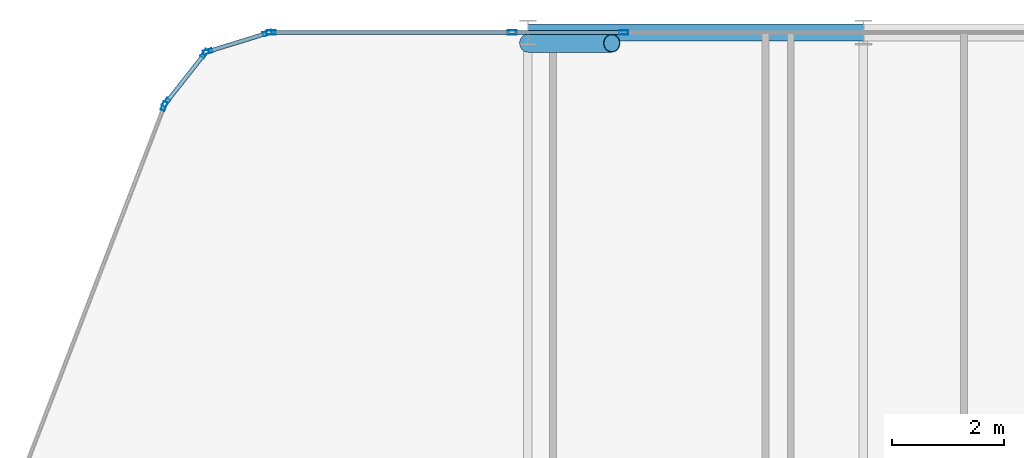
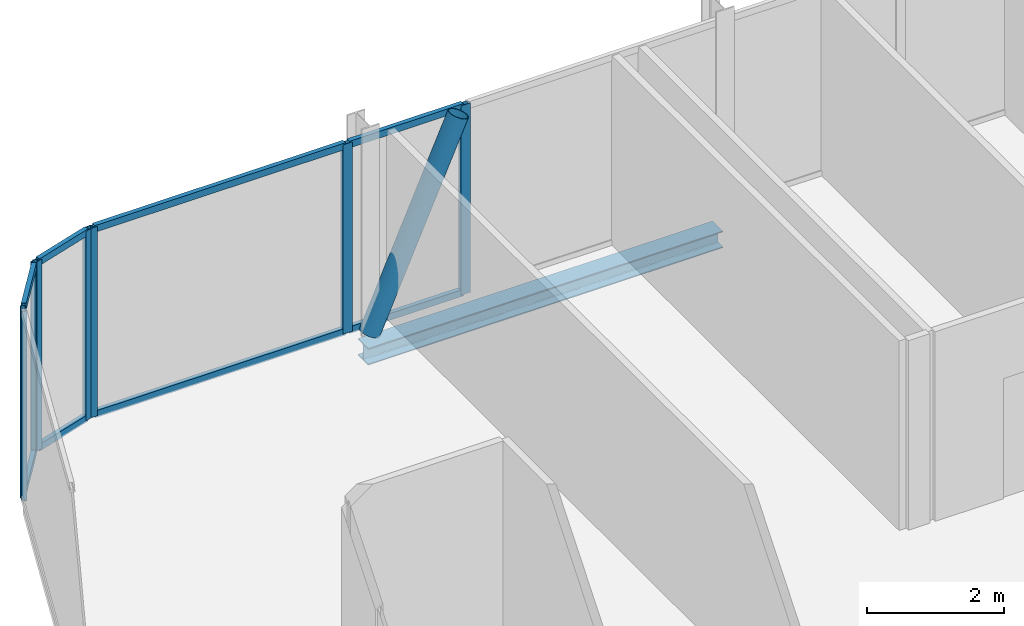
# One storey, part 18 of 29: 17 members, 1 beam, 5 elements without a shape of their own.
"""IFC4 building model written with IfcOpenShell, lengths in metres."""

from ifc_helpers import new_model, si_unit, direction, frame, origin, origin_2d, place, context, subcontext, project, spatial, hollow_rectangle, hollow_circle, i_section, extrude, material, layer, layer_set, material_profile, profile_set, type_object, element, aggregate, save


model = new_model("IFC4")

# Units and contexts
model_context = context("Model", 3, precision=1e-05, world=origin(), true_north=direction((0.0, 1.0)))
body_context = subcontext(model_context, "Body", "Model", "MODEL_VIEW")
ifc_project = project(units=[si_unit("LENGTHUNIT", "METRE"), si_unit("AREAUNIT", "SQUARE_METRE"), si_unit("VOLUMEUNIT", "CUBIC_METRE"), si_unit("PLANEANGLEUNIT", "RADIAN"), si_unit("MASSUNIT", "GRAM", prefix="KILO")], contexts=[model_context])

# Site, building, storey
site_placement = place(None, origin())
site = spatial("IfcSite", under=ifc_project, at=site_placement, CompositionType="ELEMENT")
building_placement = place(site_placement, origin())
building = spatial("IfcBuilding", under=site, at=building_placement, Name="Keshet Zoharim Tower", CompositionType="ELEMENT")
storey_placement = place(building_placement, frame((0.0, 0.0, 176.5)))
storey = spatial("IfcBuildingStorey", under=building, at=storey_placement, Name="L43", CompositionType="ELEMENT", Elevation=176.5)

# Beam
ifc_material_1 = material(Name="Steel S355", Category="steel")
ifc_material_profile_1 = material_profile(ifc_material_1, i_section(OverallWidth=0.300048828125, OverallDepth=0.300048828125, WebThickness=0.010986328125, FlangeThickness=0.01904296875, FilletRadius=0.027099609375, at=origin_2d()), Name="HEB300")
ifc_profile_set_1 = profile_set([ifc_material_profile_1], Name="Steel S355")
beam_type = type_object("IfcBeamType", Name="BM-PRI-HB300", PredefinedType="BEAM", material=ifc_profile_set_1)
beam_placement = place(storey_placement, frame((21.0, 53.89990234375, -0.4599609375), z_axis=(1.0, 0.0, 0.0), x_axis=(0.0, 1.0, 0.0)))
element("IfcBeam", 1, at=beam_placement, inside=storey, type_object=beam_type, Name="L43 Primary Girder X-019", PredefinedType="BEAM", context=body_context, shape_type="SweptSolid", body=[
    extrude(i_section(OverallWidth=0.300048828125, OverallDepth=0.300048828125, WebThickness=0.010986328125, FlangeThickness=0.01904296875, FilletRadius=0.027099609375, at=origin_2d()), origin(), (0.0, 0.0, 1.0), 6.0),
])

# Curtain wall, member
ifc_material_2 = material(Name="Aluminium 6063-T6", Category="aluminium")
ifc_layer = layer(ifc_material_2, 0.139892578125)
ifc_layer_set = layer_set([ifc_layer], Name="Aluminium 6063-T6")
curtain_wall_type = type_object("IfcCurtainWallType", Name="CW-SYS-05", PredefinedType="NOTDEFINED", material=ifc_layer_set)
curtain_wall_1_placement = place(storey_placement, origin())
curtain_wall_1 = element("IfcCurtainWall", 2, at=curtain_wall_1_placement, inside=storey, type_object=curtain_wall_type, Name="L43 Unitised Curtain Wall 13", PredefinedType="NOTDEFINED")
ifc_material_profile_2 = material_profile(ifc_material_2, hollow_rectangle(XDim=0.074951171875, YDim=0.159912109375, WallThickness=0.00390625, at=origin_2d()), Name="MUL-75x160")
ifc_profile_set_2 = profile_set([ifc_material_profile_2], Name="Aluminium 6063-T6")
member_type_1 = type_object("IfcMemberType", Name="CWM-M15", PredefinedType="MULLION", material=ifc_profile_set_2)
member_1_placement = place(storey_placement, frame((14.494384765625, 52.58544921875, 0.0), z_axis=(0.0, 0.0, 1.0), x_axis=(-0.933341404361, 0.358990003907, 0.0)))
member_1 = element("IfcMember", 3, at=member_1_placement, type_object=member_type_1, Name="CW-05 mullion 4", PredefinedType="MULLION", context=body_context, shape_type="SweptSolid", body=[
    extrude(hollow_rectangle(XDim=0.074951171875, YDim=0.159912109375, WallThickness=0.00390625, at=origin_2d()), origin(), (0.0, 0.0, 1.0), 3.389892578125),
])
aggregate(curtain_wall_1, [member_1])

# Curtain wall, members
curtain_wall_2_placement = place(storey_placement, origin())
curtain_wall_2 = element("IfcCurtainWall", 4, at=curtain_wall_2_placement, inside=storey, type_object=curtain_wall_type, Name="L43 Unitised Curtain Wall 14", PredefinedType="NOTDEFINED")
member_2_placement = place(storey_placement, frame((14.528564453125, 52.6455078125, 0.0), z_axis=(0.0, 0.0, 1.0), x_axis=(-0.785292825205, 0.619124525989, 0.0)))
member_2 = element("IfcMember", 5, at=member_2_placement, type_object=member_type_1, Name="CW-05 mullion 1", PredefinedType="MULLION", context=body_context, shape_type="SweptSolid", body=[
    extrude(hollow_rectangle(XDim=0.074951171875, YDim=0.159912109375, WallThickness=0.00390625, at=origin_2d()), origin(), (0.0, 0.0, 1.0), 3.389892578125),
])
member_3_placement = place(storey_placement, frame((15.21923828125, 53.521484375, 0.0), z_axis=(0.0, 0.0, 1.0), x_axis=(-0.785292825205, 0.619124525989, 0.0)))
member_3 = element("IfcMember", 6, at=member_3_placement, type_object=member_type_1, Name="CW-05 mullion 2", PredefinedType="MULLION", context=body_context, shape_type="SweptSolid", body=[
    extrude(hollow_rectangle(XDim=0.074951171875, YDim=0.159912109375, WallThickness=0.00390625, at=origin_2d()), origin(), (0.0, 0.0, 1.0), 3.389892578125),
])

curtain_wall_3_placement = place(storey_placement, origin())
curtain_wall_3 = element("IfcCurtainWall", 7, at=curtain_wall_3_placement, inside=storey, type_object=curtain_wall_type, Name="L43 Unitised Curtain Wall 15", PredefinedType="NOTDEFINED")
member_4_placement = place(storey_placement, frame((15.2744140625, 53.559326171875, 0.0), z_axis=(0.0, 0.0, 1.0), x_axis=(-0.295921857984, 0.955212151288, 0.0)))
member_4 = element("IfcMember", 8, at=member_4_placement, type_object=member_type_1, Name="CW-05 mullion 1", PredefinedType="MULLION", context=body_context, shape_type="SweptSolid", body=[
    extrude(hollow_rectangle(XDim=0.074951171875, YDim=0.159912109375, WallThickness=0.00390625, at=origin_2d()), origin(), (0.0, 0.0, 1.0), 3.389892578125),
])
member_5_placement = place(storey_placement, frame((16.340576171875, 53.8896484375, 0.0), z_axis=(0.0, 0.0, 1.0), x_axis=(-0.295921857984, 0.955212151288, 0.0)))
member_5 = element("IfcMember", 9, at=member_5_placement, type_object=member_type_1, Name="CW-05 mullion 2", PredefinedType="MULLION", context=body_context, shape_type="SweptSolid", body=[
    extrude(hollow_rectangle(XDim=0.074951171875, YDim=0.159912109375, WallThickness=0.00390625, at=origin_2d()), origin(), (0.0, 0.0, 1.0), 3.389892578125),
])

curtain_wall_4_placement = place(storey_placement, origin())
curtain_wall_4 = element("IfcCurtainWall", 10, at=curtain_wall_4_placement, inside=storey, type_object=curtain_wall_type, Name="L43 Unitised Curtain Wall 16", PredefinedType="NOTDEFINED")
member_6_placement = place(storey_placement, frame((16.408935546875, 53.89990234375, 0.0), z_axis=(0.0, 0.0, 1.0), x_axis=(0.0, 1.0, 0.0)))
member_6 = element("IfcMember", 11, at=member_6_placement, type_object=member_type_1, Name="CW-05 mullion 1", PredefinedType="MULLION", context=body_context, shape_type="SweptSolid", body=[
    extrude(hollow_rectangle(XDim=0.074951171875, YDim=0.159912109375, WallThickness=0.00390625, at=origin_2d()), origin(), (0.0, 0.0, 1.0), 3.389892578125),
])
member_7_placement = place(storey_placement, frame((20.716796875, 53.89990234375, 0.0), z_axis=(0.0, 0.0, 1.0), x_axis=(0.0, 1.0, 0.0)))
member_7 = element("IfcMember", 12, at=member_7_placement, type_object=member_type_1, Name="CW-05 mullion 2", PredefinedType="MULLION", context=body_context, shape_type="SweptSolid", body=[
    extrude(hollow_rectangle(XDim=0.074951171875, YDim=0.159912109375, WallThickness=0.00390625, at=origin_2d()), origin(), (0.0, 0.0, 1.0), 3.389892578125),
])

# Curtain wall, member
curtain_wall_5_placement = place(storey_placement, origin())
curtain_wall_5 = element("IfcCurtainWall", 13, at=curtain_wall_5_placement, inside=storey, type_object=curtain_wall_type, Name="L43 Unitised Curtain Wall 16 Part 2", PredefinedType="NOTDEFINED")
member_8_placement = place(storey_placement, frame((22.713134765625, 53.89990234375, 0.0), z_axis=(0.0, 0.0, 1.0), x_axis=(0.0, 1.0, 0.0)))
member_8 = element("IfcMember", 14, at=member_8_placement, type_object=member_type_1, Name="CW-05 mullion 2", PredefinedType="MULLION", context=body_context, shape_type="SweptSolid", body=[
    extrude(hollow_rectangle(XDim=0.074951171875, YDim=0.159912109375, WallThickness=0.00390625, at=origin_2d()), origin(), (0.0, 0.0, 1.0), 3.389892578125),
])

# Member
ifc_material_profile_3 = material_profile(ifc_material_2, hollow_rectangle(XDim=0.074951171875, YDim=0.1201171875, WallThickness=0.00390625, at=origin_2d()), Name="TRN-75x120")
ifc_profile_set_3 = profile_set([ifc_material_profile_3], Name="Aluminium 6063-T6")
member_type_2 = type_object("IfcMemberType", Name="CWT-T12", PredefinedType="USERDEFINED", material=ifc_profile_set_3)
member_9_placement = place(storey_placement, frame((14.55029296875, 52.6728515625, 0.034912109375), z_axis=(0.619099165969, 0.78531281837, 0.0), x_axis=(-0.78531281837, 0.619099165969, 0.0)))
member_9 = element("IfcMember", 15, at=member_9_placement, type_object=member_type_2, Name="CW-05 transom 1.1", ObjectType="TRANSOM", PredefinedType="USERDEFINED", context=body_context, shape_type="SweptSolid", body=[
    extrude(hollow_rectangle(XDim=0.074951171875, YDim=0.1201171875, WallThickness=0.00390625, at=origin_2d()), origin(), (0.0, 0.0, 1.0), 1.0458984375),
])

member_10_placement = place(storey_placement, frame((14.55029296875, 52.6728515625, 3.35498046875), z_axis=(0.619099165969, 0.78531281837, 0.0), x_axis=(-0.78531281837, 0.619099165969, 0.0)))
member_10 = element("IfcMember", 16, at=member_10_placement, type_object=member_type_2, Name="CW-05 transom 1.2", ObjectType="TRANSOM", PredefinedType="USERDEFINED", context=body_context, shape_type="SweptSolid", body=[
    extrude(hollow_rectangle(XDim=0.074951171875, YDim=0.1201171875, WallThickness=0.00390625, at=origin_2d()), origin(), (0.0, 0.0, 1.0), 1.0458984375),
])

aggregate(curtain_wall_2, [member_2, member_3, member_9, member_10])

member_11_placement = place(storey_placement, frame((15.307861328125, 53.56982421875, 0.034912109375), z_axis=(0.955212093062, 0.295922045933, 0.0), x_axis=(-0.295922045933, 0.955212093062, 0.0)))
member_11 = element("IfcMember", 17, at=member_11_placement, type_object=member_type_2, Name="CW-05 transom 1.1", ObjectType="TRANSOM", PredefinedType="USERDEFINED", context=body_context, shape_type="SweptSolid", body=[
    extrude(hollow_rectangle(XDim=0.074951171875, YDim=0.1201171875, WallThickness=0.00390625, at=origin_2d()), origin(), (0.0, 0.0, 1.0), 1.046142578125),
])

member_12_placement = place(storey_placement, frame((15.307861328125, 53.56982421875, 3.35498046875), z_axis=(0.955212093062, 0.295922045933, 0.0), x_axis=(-0.295922045933, 0.955212093062, 0.0)))
member_12 = element("IfcMember", 18, at=member_12_placement, type_object=member_type_2, Name="CW-05 transom 1.2", ObjectType="TRANSOM", PredefinedType="USERDEFINED", context=body_context, shape_type="SweptSolid", body=[
    extrude(hollow_rectangle(XDim=0.074951171875, YDim=0.1201171875, WallThickness=0.00390625, at=origin_2d()), origin(), (0.0, 0.0, 1.0), 1.046142578125),
])

aggregate(curtain_wall_3, [member_4, member_5, member_11, member_12])

member_13_placement = place(storey_placement, frame((16.444091796875, 53.89990234375, 0.034912109375), z_axis=(1.0, 0.0, 0.0), x_axis=(0.0, 1.0, 0.0)))
member_13 = element("IfcMember", 19, at=member_13_placement, type_object=member_type_2, Name="CW-05 transom 1.1", ObjectType="TRANSOM", PredefinedType="USERDEFINED", context=body_context, shape_type="SweptSolid", body=[
    extrude(hollow_rectangle(XDim=0.074951171875, YDim=0.1201171875, WallThickness=0.00390625, at=origin_2d()), origin(), (0.0, 0.0, 1.0), 4.23779296875),
])

member_14_placement = place(storey_placement, frame((16.444091796875, 53.89990234375, 3.35498046875), z_axis=(1.0, 0.0, 0.0), x_axis=(0.0, 1.0, 0.0)))
member_14 = element("IfcMember", 20, at=member_14_placement, type_object=member_type_2, Name="CW-05 transom 1.2", ObjectType="TRANSOM", PredefinedType="USERDEFINED", context=body_context, shape_type="SweptSolid", body=[
    extrude(hollow_rectangle(XDim=0.074951171875, YDim=0.1201171875, WallThickness=0.00390625, at=origin_2d()), origin(), (0.0, 0.0, 1.0), 4.23779296875),
])

aggregate(curtain_wall_4, [member_6, member_7, member_13, member_14])

member_15_placement = place(storey_placement, frame((20.751953125, 53.89990234375, 0.034912109375), z_axis=(1.0, 0.0, 0.0), x_axis=(0.0, 1.0, 0.0)))
member_15 = element("IfcMember", 21, at=member_15_placement, type_object=member_type_2, Name="CW-05 transom 1.1", ObjectType="TRANSOM", PredefinedType="USERDEFINED", context=body_context, shape_type="SweptSolid", body=[
    extrude(hollow_rectangle(XDim=0.074951171875, YDim=0.1201171875, WallThickness=0.00390625, at=origin_2d()), origin(), (0.0, 0.0, 1.0), 1.926025390625),
])

member_16_placement = place(storey_placement, frame((20.751953125, 53.89990234375, 3.35498046875), z_axis=(1.0, 0.0, 0.0), x_axis=(0.0, 1.0, 0.0)))
member_16 = element("IfcMember", 22, at=member_16_placement, type_object=member_type_2, Name="CW-05 transom 1.2", ObjectType="TRANSOM", PredefinedType="USERDEFINED", context=body_context, shape_type="SweptSolid", body=[
    extrude(hollow_rectangle(XDim=0.074951171875, YDim=0.1201171875, WallThickness=0.00390625, at=origin_2d()), origin(), (0.0, 0.0, 1.0), 1.926025390625),
])

aggregate(curtain_wall_5, [member_8, member_15, member_16])

ifc_material_profile_4 = material_profile(ifc_material_1, hollow_circle(Radius=0.161865234375, WallThickness=0.012451171875, at=origin_2d()), Name="CHS323x12.5")
ifc_profile_set_4 = profile_set([ifc_material_profile_4], Name="Steel S355")
member_type_3 = type_object("IfcMemberType", Name="MB-BR-C323", PredefinedType="BRACE", material=ifc_profile_set_4)
member_17_placement = place(storey_placement, frame((21.0, 53.7099609375, 0.0), z_axis=(0.40464689807, 0.0, 0.914473011019), x_axis=(0.0, 1.0, 0.0)))
element("IfcMember", 23, at=member_17_placement, inside=storey, type_object=member_type_3, Name="L43 Perimeter Tube Brace 02", PredefinedType="BRACE", context=body_context, shape_type="SweptSolid", body=[
    extrude(hollow_circle(Radius=0.161865234375, WallThickness=0.012451171875, at=origin_2d()), origin(), (0.0, 0.0, 1.0), 3.70703125),
])

save(model, "model.ifc")
